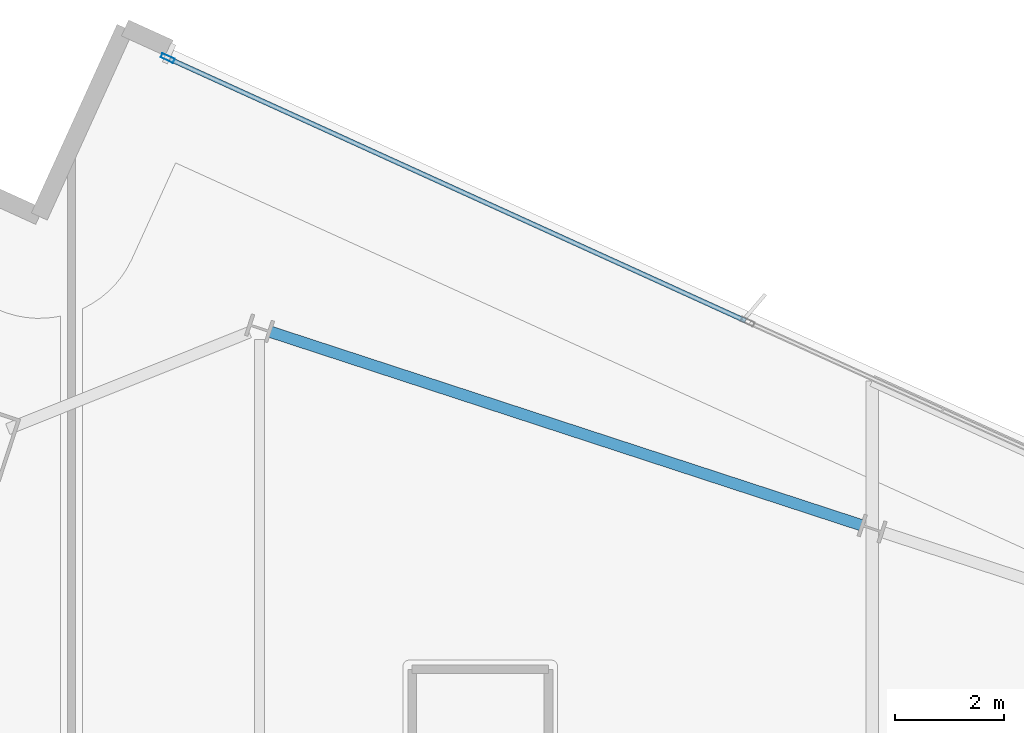
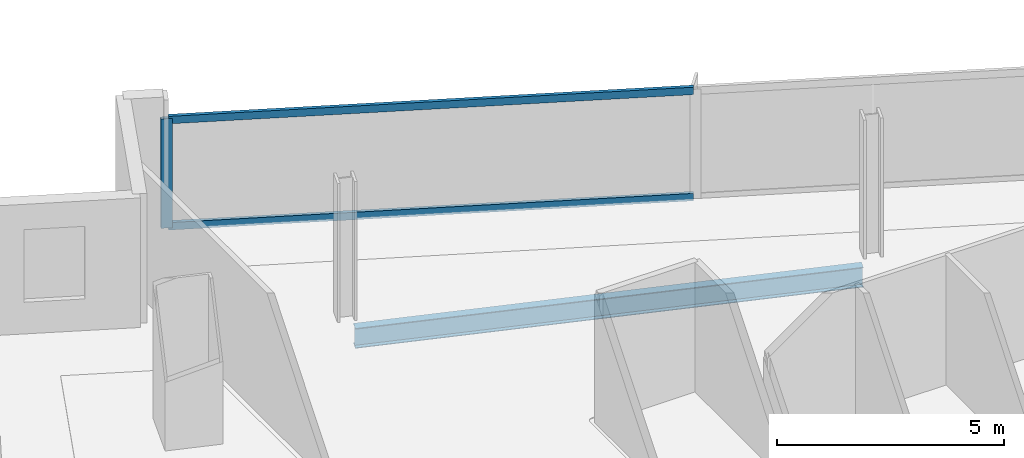
# One storey, part 14 of 26: 3 members, 1 beam, 1 element without a shape of its own.
"""IFC4 building model written with IfcOpenShell, lengths in metres."""

from ifc_helpers import new_model, si_unit, direction, frame, origin, origin_2d, place, context, subcontext, project, spatial, hollow_rectangle, i_section, extrude, material, material_profile, profile_set, type_object, element, aggregate, save


model = new_model("IFC4")

# Units and contexts
model_context = context("Model", 3, precision=1e-05, world=origin(), true_north=direction((0.0, 1.0)))
body_context = subcontext(model_context, "Body", "Model", "MODEL_VIEW")
ifc_project = project(units=[si_unit("LENGTHUNIT", "METRE"), si_unit("AREAUNIT", "SQUARE_METRE"), si_unit("VOLUMEUNIT", "CUBIC_METRE"), si_unit("PLANEANGLEUNIT", "RADIAN"), si_unit("MASSUNIT", "GRAM", prefix="KILO")], contexts=[model_context])

# Site, building, storey
site_placement = place(None, origin())
site = spatial("IfcSite", under=ifc_project, at=site_placement, CompositionType="ELEMENT")
building_placement = place(site_placement, origin())
building = spatial("IfcBuilding", under=site, at=building_placement, Name="Haldenkirk Collegiate Tower", CompositionType="ELEMENT")
storey_placement = place(building_placement, frame((0.0, 0.0, 248.699951171875)))
storey = spatial("IfcBuildingStorey", under=building, at=storey_placement, Name="L62", CompositionType="ELEMENT", Elevation=248.699951171875)

# Beam
ifc_material_1 = material(Name="Steel ASTM A992 Grade 50", Category="steel")
ifc_material_profile_1 = material_profile(ifc_material_1, i_section(OverallWidth=0.2099609375, OverallDepth=0.537109375, WebThickness=0.010986328125, FlangeThickness=0.017333984375, at=origin_2d()), Name="W21X68")
ifc_profile_set_1 = profile_set([ifc_material_profile_1], Name="Steel ASTM A992 Grade 50")
beam_type = type_object("IfcBeamType", Name="BM-SPANDREL-W21X68", PredefinedType="SPANDREL", material=ifc_profile_set_1)
beam_placement = place(storey_placement, frame((42.99755859375, 45.54296875, -0.538330078125), z_axis=(-0.950408846531, 0.311003254701, 0.0), x_axis=(-0.311003254701, -0.950408846531, 0.0)))
element("IfcBeam", 1, at=beam_placement, inside=storey, type_object=beam_type, Name="L62 perimeter spandrel beam 07", PredefinedType="SPANDREL", context=body_context, shape_type="SweptSolid", body=[
    extrude(i_section(OverallWidth=0.2099609375, OverallDepth=0.537109375, WebThickness=0.010986328125, FlangeThickness=0.017333984375, at=origin_2d()), origin(), (0.0, 0.0, 1.0), 11.421875),
])

# Curtain wall, members
ifc_material_2 = material(Name="Anodised architectural bronze aluminium", Category="aluminium")
curtain_wall_type = type_object("IfcCurtainWallType", Name="CW-SYS1B-CONVEX-HI", PredefinedType="USERDEFINED", material=ifc_material_2)
curtain_wall_placement = place(storey_placement, origin())
curtain_wall = element("IfcCurtainWall", 2, at=curtain_wall_placement, inside=storey, type_object=curtain_wall_type, Name="L62 Upper tower high-wind convex bronze unitised curtain wall", ObjectType="UNITISED CURTAIN WALL", PredefinedType="USERDEFINED")
ifc_material_profile_2 = material_profile(ifc_material_2, hollow_rectangle(XDim=0.0849609375, YDim=0.25, WallThickness=0.0048828125, at=origin_2d()), Name="CW-MUL-1B")
ifc_profile_set_2 = profile_set([ifc_material_profile_2], Name="Anodised architectural bronze aluminium")
member_type_1 = type_object("IfcMemberType", Name="CW-MUL-1B", PredefinedType="MULLION", material=ifc_profile_set_2)
member_1_placement = place(storey_placement, frame((30.264892578125, 54.114990234375, 0.0), z_axis=(0.0, 0.0, 1.0), x_axis=(0.413900972818, 0.910321912677, 0.0)))
member_1 = element("IfcMember", 3, at=member_1_placement, type_object=member_type_1, Name="CW-1B mullion 1", PredefinedType="MULLION", context=body_context, shape_type="SweptSolid", body=[
    extrude(hollow_rectangle(XDim=0.0849609375, YDim=0.25, WallThickness=0.0048828125, at=origin_2d()), origin(), (0.0, 0.0, 1.0), 2.93798828125),
])
ifc_material_profile_3 = material_profile(ifc_material_2, hollow_rectangle(XDim=0.0849609375, YDim=0.199951171875, WallThickness=0.0048828125, at=origin_2d()), Name="CW-TRN-1B")
ifc_profile_set_3 = profile_set([ifc_material_profile_3], Name="Anodised architectural bronze aluminium")
member_type_2 = type_object("IfcMemberType", Name="CW-TRN-1B", PredefinedType="USERDEFINED", material=ifc_profile_set_3)
member_2_placement = place(storey_placement, frame((30.3037109375, 54.097412109375, 0.04248046875), z_axis=(0.910318923961, -0.413907546052, 0.0), x_axis=(0.413907546052, 0.910318923961, 0.0)))
member_2 = element("IfcMember", 4, at=member_2_placement, type_object=member_type_2, Name="CW-1B transom 1.1", ObjectType="TRANSOM", PredefinedType="USERDEFINED", context=body_context, shape_type="SweptSolid", body=[
    extrude(hollow_rectangle(XDim=0.0849609375, YDim=0.199951171875, WallThickness=0.0048828125, at=origin_2d()), origin(), (0.0, 0.0, 1.0), 11.605712890625),
])
member_3_placement = place(storey_placement, frame((30.3037109375, 54.097412109375, 2.8955078125), z_axis=(0.910318923961, -0.413907546052, 0.0), x_axis=(0.413907546052, 0.910318923961, 0.0)))
member_3 = element("IfcMember", 5, at=member_3_placement, type_object=member_type_2, Name="CW-1B transom 1.2", ObjectType="TRANSOM", PredefinedType="USERDEFINED", context=body_context, shape_type="SweptSolid", body=[
    extrude(hollow_rectangle(XDim=0.0849609375, YDim=0.199951171875, WallThickness=0.0048828125, at=origin_2d()), origin(), (0.0, 0.0, 1.0), 11.605712890625),
])
aggregate(curtain_wall, [member_1, member_2, member_3])

save(model, "model.ifc")
